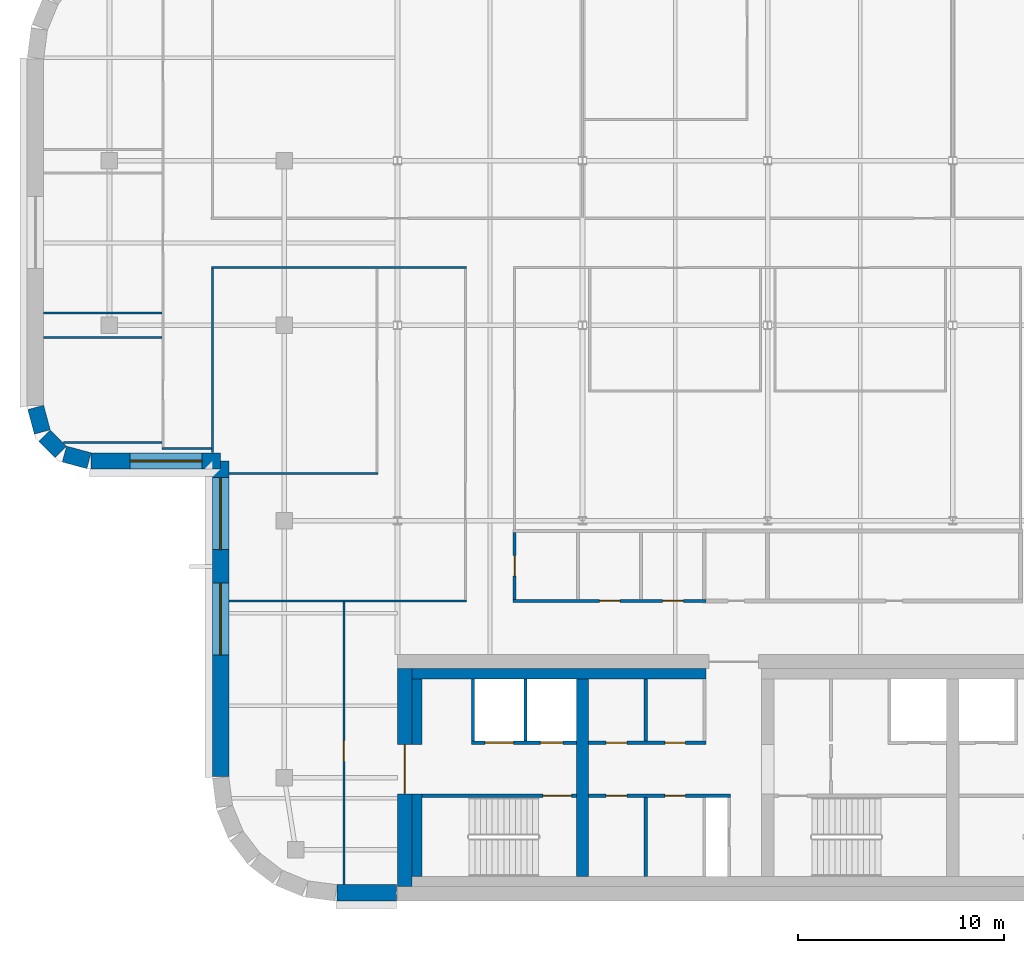
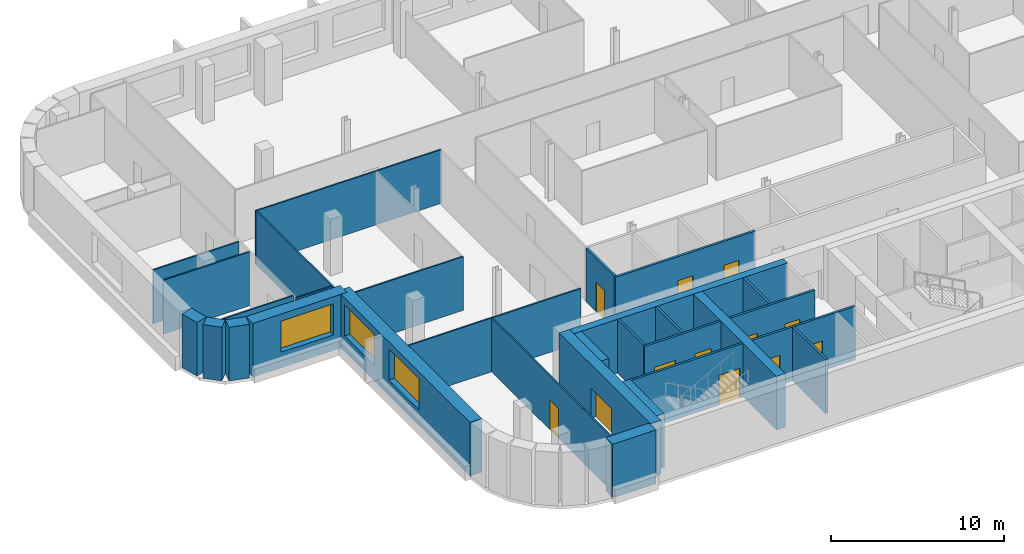
# One storey, part 7 of 17: 30 walls, 12 doors, 3 windows, 15 openings.
"""IFC4 building model written with IfcOpenShell, lengths in metres."""

from ifc_helpers import new_model, si_unit, direction, frame, frame_2d, origin, place, context, subcontext, project, spatial, rectangle, extrude, material, layer, layer_set, type_object, element, fill, save


model = new_model("IFC4")

# Units and contexts
model_context = context("Model", 3, precision=1e-05, world=origin(), true_north=direction((0.0, 1.0)))
body_context = subcontext(model_context, "Body", "Model", "MODEL_VIEW")
ifc_project = project(units=[si_unit("LENGTHUNIT", "METRE"), si_unit("AREAUNIT", "SQUARE_METRE"), si_unit("VOLUMEUNIT", "CUBIC_METRE"), si_unit("PLANEANGLEUNIT", "RADIAN"), si_unit("MASSUNIT", "GRAM", prefix="KILO")], contexts=[model_context])

# Site, building, storey
site_placement = place(None, origin())
site = spatial("IfcSite", under=ifc_project, at=site_placement, CompositionType="ELEMENT")
building_placement = place(site_placement, origin())
building = spatial("IfcBuilding", under=site, at=building_placement, Name="Zellij Exchange Tower", CompositionType="ELEMENT")
storey_placement = place(building_placement, frame((0.0, 0.0, 224.5)))
storey = spatial("IfcBuildingStorey", under=building, at=storey_placement, Name="L52", CompositionType="ELEMENT", Elevation=224.5)

# Walls
ifc_material_1 = material(Name="Concrete C50/60", Category="concrete")
ifc_layer_1 = layer(ifc_material_1, 0.60009765625)
ifc_layer_set_1 = layer_set([ifc_layer_1], Name="Concrete C50/60")
wall_type_1 = type_object("IfcWallType", Name="CORE-CW 600 C50/60", PredefinedType="SHEAR", material=ifc_layer_set_1)
wall_1_placement = place(storey_placement, frame((-18.0, -12.800048828125, 0.0), z_axis=(0.0, 0.0, 1.0), x_axis=(0.0, 1.0, 0.0)))
element("IfcWall", 1, at=wall_1_placement, inside=storey, type_object=wall_type_1, Name="Core cross wall x -18 L52", PredefinedType="SHEAR", context=body_context, shape_type="SweptSolid", body=[
    extrude(rectangle(XDim=9.60009765625, YDim=0.60009765625, at=frame_2d((4.800048828125, 0.0))), origin(), (0.0, 0.0, 1.0), 3.800048828125),
])
ifc_material_2 = material(Name="Concrete C30/37", Category="concrete")
ifc_layer_2 = layer(ifc_material_2, 0.5)
ifc_layer_set_2 = layer_set([ifc_layer_2], Name="Concrete C30/37")
wall_type_2 = type_object("IfcWallType", Name="CORE-LW 500 C30/37", PredefinedType="SHEAR", material=ifc_layer_set_2)
wall_2_placement = place(storey_placement, frame((-26.300048828125, -2.949951171875, 0.0), z_axis=(0.0, 0.0, 1.0), x_axis=(1.0, 0.0, 0.0)))
element("IfcWall", 2, at=wall_2_placement, inside=storey, type_object=wall_type_2, Name="Core wall lining front.0 L52", PredefinedType="SHEAR", context=body_context, shape_type="SweptSolid", body=[
    extrude(rectangle(XDim=14.300048828125, YDim=0.5, at=frame_2d((7.14990234375, 0.0))), origin(), (0.0, 0.0, 1.0), 3.800048828125),
])
wall_3_placement = place(storey_placement, frame((-26.050048828125, -12.800048828125, 0.0), z_axis=(0.0, 0.0, 1.0), x_axis=(0.0, 1.0, 0.0)))
element("IfcWall", 3, at=wall_3_placement, inside=storey, type_object=wall_type_2, Name="Core wall lining end w.0 L52", PredefinedType="SHEAR", context=body_context, shape_type="SweptSolid", body=[
    extrude(rectangle(XDim=4.0, YDim=0.5, at=frame_2d((2.0, 0.0))), origin(), (0.0, 0.0, 1.0), 3.800048828125),
])
wall_4_placement = place(storey_placement, frame((-26.050048828125, -6.375, 0.0), z_axis=(0.0, 0.0, 1.0), x_axis=(0.0, 1.0, 0.0)))
element("IfcWall", 4, at=wall_4_placement, inside=storey, type_object=wall_type_2, Name="Core wall lining end w.1 L52", PredefinedType="SHEAR", context=body_context, shape_type="SweptSolid", body=[
    extrude(rectangle(XDim=3.175048828125, YDim=0.5, at=frame_2d((1.58740234375, 0.0))), origin(), (0.0, 0.0, 1.0), 3.800048828125),
])
ifc_material_3 = material(Name="Gypsum board partition")
ifc_layer_3 = layer(ifc_material_3, 0.14990234375)
ifc_layer_set_3 = layer_set([ifc_layer_3], Name="Gypsum board partition")
wall_type_3 = type_object("IfcWallType", Name="CORE-PW 150 Lift lobby wall", PredefinedType="PARTITIONING", material=ifc_layer_set_3)
wall_5_placement = place(storey_placement, frame((-14.925048828125, -6.22509765625, 0.0), z_axis=(0.0, 0.0, 1.0), x_axis=(0.0, 1.0, 0.0)))
element("IfcWall", 5, at=wall_5_placement, inside=storey, type_object=wall_type_3, Name="Lift lobby wall L52", PredefinedType="PARTITIONING", context=body_context, shape_type="SweptSolid", body=[
    extrude(rectangle(XDim=3.025146484375, YDim=0.14990234375, at=frame_2d((1.5126953125, 0.0))), origin(), (0.0, 0.0, 1.0), 3.800048828125),
])
wall_6_placement = place(storey_placement, frame((-14.925048828125, -12.800048828125, 0.0), z_axis=(0.0, 0.0, 1.0), x_axis=(0.0, 1.0, 0.0)))
element("IfcWall", 6, at=wall_6_placement, inside=storey, type_object=wall_type_3, Name="Lift lobby wall L52", PredefinedType="PARTITIONING", context=body_context, shape_type="SweptSolid", body=[
    extrude(rectangle(XDim=3.85009765625, YDim=0.14990234375, at=frame_2d((1.925048828125, 0.0))), origin(), (0.0, 0.0, 1.0), 3.800048828125),
])

# Wall, openings, doors
wall_7_placement = place(storey_placement, frame((-17.699951171875, -6.300048828125, 0.0), z_axis=(0.0, 0.0, 1.0), x_axis=(1.0, 0.0, 0.0)))
wall_7 = element("IfcWall", 7, at=wall_7_placement, inside=storey, type_object=wall_type_3, Name="Lift lobby wall L52", PredefinedType="PARTITIONING", context=body_context, shape_type="SweptSolid", body=[
    extrude(rectangle(XDim=5.699951171875, YDim=0.14990234375, at=frame_2d((2.85009765625, 0.0))), origin(), (0.0, 0.0, 1.0), 3.800048828125),
])
opening_1_placement = place(wall_7_placement, frame((0.85009765625, 0.0, 0.0)))
opening_1 = element("IfcOpeningElement", 8, at=opening_1_placement, cuts=wall_7, Name="Opening CA-28.06", PredefinedType="OPENING", context=body_context, shape_type="SweptSolid", body=[
    extrude(rectangle(XDim=1.0, YDim=2.10009765625, at=frame_2d((0.5, 1.050048828125))), frame((0.0, 0.0869140625, 0.0), z_axis=(0.0, -1.0, 0.0), x_axis=(1.0, 0.0, 0.0)), (0.0, 0.0, 1.0), 0.173828125),
])
opening_2_placement = place(wall_7_placement, frame((3.699951171875, 0.0, 0.0)))
opening_2 = element("IfcOpeningElement", 9, at=opening_2_placement, cuts=wall_7, Name="Opening CA-28.08", PredefinedType="OPENING", context=body_context, shape_type="SweptSolid", body=[
    extrude(rectangle(XDim=1.0, YDim=2.10009765625, at=frame_2d((0.5, 1.050048828125))), frame((0.0, 0.0869140625, 0.0), z_axis=(0.0, -1.0, 0.0), x_axis=(1.0, 0.0, 0.0)), (0.0, 0.0, 1.0), 0.173828125),
])
ifc_material_4 = material(Name="Hollow metal fire door")
door_type_1 = type_object("IfcDoorType", Name="CORE-D CD Core room door 1000x2100 1 HR", OperationType="NOTDEFINED", PredefinedType="DOOR", material=ifc_material_4)
door_1_placement = place(opening_1_placement, origin())
door_1 = element("IfcDoor", 10, at=door_1_placement, inside=storey, type_object=door_type_1, Name="Core room door CA-28.06", OperationType="SINGLE_SWING_LEFT", OverallHeight=2.10009765625, OverallWidth=1.0, PredefinedType="DOOR", context=body_context, shape_type="SweptSolid", body=[
    extrude(rectangle(XDim=1.0, YDim=2.10009765625, at=frame_2d((0.5, 1.050048828125))), frame((0.0, 0.02490234375, 0.0), z_axis=(0.0, -1.0, 0.0), x_axis=(1.0, 0.0, 0.0)), (0.0, 0.0, 1.0), 0.050048828125),
])
fill(opening_1, door_1)
door_2_placement = place(opening_2_placement, origin())
door_2 = element("IfcDoor", 11, at=door_2_placement, inside=storey, type_object=door_type_1, Name="Core room door CA-28.08", OperationType="SINGLE_SWING_RIGHT", OverallHeight=2.10009765625, OverallWidth=1.0, PredefinedType="DOOR", context=body_context, shape_type="SweptSolid", body=[
    extrude(rectangle(XDim=1.0, YDim=2.10009765625, at=frame_2d((0.5, 1.050048828125))), frame((0.0, 0.02490234375, 0.0), z_axis=(0.0, -1.0, 0.0), x_axis=(1.0, 0.0, 0.0)), (0.0, 0.0, 1.0), 0.050048828125),
])
fill(opening_2, door_2)

wall_8_placement = place(storey_placement, frame((-17.699951171875, -8.875, 0.0), z_axis=(0.0, 0.0, 1.0), x_axis=(1.0, 0.0, 0.0)))
wall_8 = element("IfcWall", 12, at=wall_8_placement, inside=storey, type_object=wall_type_3, Name="Lift lobby wall L52", PredefinedType="PARTITIONING", context=body_context, shape_type="SweptSolid", body=[
    extrude(rectangle(XDim=6.89990234375, YDim=0.14990234375, at=frame_2d((3.449951171875, 0.0))), origin(), (0.0, 0.0, 1.0), 3.800048828125),
])
opening_3_placement = place(wall_8_placement, frame((0.85009765625, 0.0, 0.0)))
opening_3 = element("IfcOpeningElement", 13, at=opening_3_placement, cuts=wall_8, Name="Opening CA-28.05", PredefinedType="OPENING", context=body_context, shape_type="SweptSolid", body=[
    extrude(rectangle(XDim=1.0, YDim=2.10009765625, at=frame_2d((0.5, 1.050048828125))), frame((0.0, 0.0869140625, 0.0), z_axis=(0.0, -1.0, 0.0), x_axis=(1.0, 0.0, 0.0)), (0.0, 0.0, 1.0), 0.173828125),
])
opening_4_placement = place(wall_8_placement, frame((3.699951171875, 0.0, 0.0)))
opening_4 = element("IfcOpeningElement", 14, at=opening_4_placement, cuts=wall_8, Name="Opening CA-28.07", PredefinedType="OPENING", context=body_context, shape_type="SweptSolid", body=[
    extrude(rectangle(XDim=1.0, YDim=2.10009765625, at=frame_2d((0.5, 1.050048828125))), frame((0.0, 0.0869140625, 0.0), z_axis=(0.0, -1.0, 0.0), x_axis=(1.0, 0.0, 0.0)), (0.0, 0.0, 1.0), 0.173828125),
])
door_3_placement = place(opening_3_placement, origin())
door_3 = element("IfcDoor", 15, at=door_3_placement, inside=storey, type_object=door_type_1, Name="Core room door CA-28.05", OperationType="SINGLE_SWING_RIGHT", OverallHeight=2.10009765625, OverallWidth=1.0, PredefinedType="DOOR", context=body_context, shape_type="SweptSolid", body=[
    extrude(rectangle(XDim=1.0, YDim=2.10009765625, at=frame_2d((0.5, 1.050048828125))), frame((0.0, 0.02490234375, 0.0), z_axis=(0.0, -1.0, 0.0), x_axis=(1.0, 0.0, 0.0)), (0.0, 0.0, 1.0), 0.050048828125),
])
fill(opening_3, door_3)
door_4_placement = place(opening_4_placement, origin())
door_4 = element("IfcDoor", 16, at=door_4_placement, inside=storey, type_object=door_type_1, Name="Core room door CA-28.07", OperationType="SINGLE_SWING_LEFT", OverallHeight=2.10009765625, OverallWidth=1.0, PredefinedType="DOOR", context=body_context, shape_type="SweptSolid", body=[
    extrude(rectangle(XDim=1.0, YDim=2.10009765625, at=frame_2d((0.5, 1.050048828125))), frame((0.0, 0.02490234375, 0.0), z_axis=(0.0, -1.0, 0.0), x_axis=(1.0, 0.0, 0.0)), (0.0, 0.0, 1.0), 0.050048828125),
])
fill(opening_4, door_4)

# Walls
ifc_material_5 = material(Name="Gypsum shaft wall system")
ifc_layer_4 = layer(ifc_material_5, 0.14990234375)
ifc_layer_set_4 = layer_set([ifc_layer_4], Name="Gypsum shaft wall system")
wall_type_4 = type_object("IfcWallType", Name="CORE-PW 150 Lift shaft wall", PredefinedType="PARTITIONING", material=ifc_layer_set_4)
for number, where, z_axis, x_axis, name in (
    (17, (-20.77490234375, -6.22509765625, 0.0), (0.0, 0.0, 1.0), (0.0, 1.0, 0.0), "Lift shaft wall L52"),
    (18, (-23.324951171875, -6.22509765625, 0.0), (0.0, 0.0, 1.0), (0.0, 1.0, 0.0), "Lift shaft wall L52"),
):
    element("IfcWall", number, at=place(storey_placement, frame(where, z_axis=z_axis, x_axis=x_axis)), inside=storey, type_object=wall_type_4, Name=name, PredefinedType="PARTITIONING", context=body_context, shape_type="SweptSolid", body=[
        extrude(rectangle(XDim=3.025146484375, YDim=0.14990234375, at=frame_2d((1.5126953125, 0.0))), origin(), (0.0, 0.0, 1.0), 3.800048828125),
    ])

# Wall, openings, doors
wall_9_placement = place(storey_placement, frame((-23.39990234375, -6.300048828125, 0.0), z_axis=(0.0, 0.0, 1.0), x_axis=(1.0, 0.0, 0.0)))
wall_9 = element("IfcWall", 19, at=wall_9_placement, inside=storey, type_object=wall_type_4, Name="Lift shaft wall L52", PredefinedType="PARTITIONING", context=body_context, shape_type="SweptSolid", body=[
    extrude(rectangle(XDim=5.099853515625, YDim=0.14990234375, at=frame_2d((2.5498046875, 0.0))), origin(), (0.0, 0.0, 1.0), 3.800048828125),
])
opening_5_placement = place(wall_9_placement, frame((0.64990234375, 0.0, 0.0)))
opening_5 = element("IfcOpeningElement", 20, at=opening_5_placement, cuts=wall_9, Name="Opening CA-28.02", PredefinedType="OPENING", context=body_context, shape_type="SweptSolid", body=[
    extrude(rectangle(XDim=1.39990234375, YDim=2.10009765625, at=frame_2d((0.699951171875, 1.050048828125))), frame((0.0, 0.0869140625, 0.0), z_axis=(0.0, -1.0, 0.0), x_axis=(1.0, 0.0, 0.0)), (0.0, 0.0, 1.0), 0.173828125),
])
opening_6_placement = place(wall_9_placement, frame((3.35009765625, 0.0, 0.0)))
opening_6 = element("IfcOpeningElement", 21, at=opening_6_placement, cuts=wall_9, Name="Opening CA-28.03", PredefinedType="OPENING", context=body_context, shape_type="SweptSolid", body=[
    extrude(rectangle(XDim=1.10009765625, YDim=2.10009765625, at=frame_2d((0.550048828125, 1.050048828125))), frame((0.0, 0.0869140625, 0.0), z_axis=(0.0, -1.0, 0.0), x_axis=(1.0, 0.0, 0.0)), (0.0, 0.0, 1.0), 0.173828125),
])
door_type_2 = type_object("IfcDoorType", Name="CORE-D LD Lift landing door 1100x2100 1.5 HR", OperationType="NOTDEFINED", PredefinedType="DOOR", material=ifc_material_4)
door_5_placement = place(opening_6_placement, origin())
door_5 = element("IfcDoor", 22, at=door_5_placement, inside=storey, type_object=door_type_2, Name="Lift landing door CA-28.03", OperationType="SLIDING_TO_LEFT", OverallHeight=2.10009765625, OverallWidth=1.10009765625, PredefinedType="DOOR", context=body_context, shape_type="SweptSolid", body=[
    extrude(rectangle(XDim=1.10009765625, YDim=2.10009765625, at=frame_2d((0.550048828125, 1.050048828125))), frame((0.0, 0.02490234375, 0.0), z_axis=(0.0, -1.0, 0.0), x_axis=(1.0, 0.0, 0.0)), (0.0, 0.0, 1.0), 0.050048828125),
])
fill(opening_6, door_5)
door_type_3 = type_object("IfcDoorType", Name="CORE-D LD2 Service lift landing door 1400x2100 1.5 HR", OperationType="NOTDEFINED", PredefinedType="DOOR", material=ifc_material_4)
door_6_placement = place(opening_5_placement, origin())
door_6 = element("IfcDoor", 23, at=door_6_placement, inside=storey, type_object=door_type_3, Name="Service lift landing door CA-28.02", OperationType="SLIDING_TO_RIGHT", OverallHeight=2.10009765625, OverallWidth=1.39990234375, PredefinedType="DOOR", context=body_context, shape_type="SweptSolid", body=[
    extrude(rectangle(XDim=1.39990234375, YDim=2.10009765625, at=frame_2d((0.699951171875, 1.050048828125))), frame((0.0, 0.02490234375, 0.0), z_axis=(0.0, -1.0, 0.0), x_axis=(1.0, 0.0, 0.0)), (0.0, 0.0, 1.0), 0.050048828125),
])
fill(opening_5, door_6)

# Wall, opening, door
ifc_layer_5 = layer(ifc_material_1, 0.699951171875)
ifc_layer_set_5 = layer_set([ifc_layer_5], Name="Concrete C50/60")
wall_type_5 = type_object("IfcWallType", Name="CORE-SW 700 C50/60", PredefinedType="SHEAR", material=ifc_layer_set_5)
wall_10_placement = place(storey_placement, frame((-26.64990234375, -13.300048828125, 0.0), z_axis=(0.0, 0.0, 1.0), x_axis=(0.0, 1.0, 0.0)))
wall_10 = element("IfcWall", 24, at=wall_10_placement, inside=storey, type_object=wall_type_5, Name="Core shear wall end w L52", PredefinedType="SHEAR", context=body_context, shape_type="SweptSolid", body=[
    extrude(rectangle(XDim=10.60009765625, YDim=0.699951171875, at=frame_2d((5.300048828125, 0.0))), origin(), (0.0, 0.0, 1.0), 3.800048828125),
])
opening_7_placement = place(wall_10_placement, frame((4.511962890625, 0.0, 0.0)))
opening_7 = element("IfcOpeningElement", 25, at=opening_7_placement, cuts=wall_10, Name="Opening CA-28.01", PredefinedType="OPENING", context=body_context, shape_type="SweptSolid", body=[
    extrude(rectangle(XDim=2.39990234375, YDim=2.10009765625, at=frame_2d((1.199951171875, 1.050048828125))), frame((0.0, 0.36181640625, 0.0), z_axis=(0.0, -1.0, 0.0), x_axis=(1.0, 0.0, 0.0)), (0.0, 0.0, 1.0), 0.723876953125),
])
door_type_4 = type_object("IfcDoorType", Name="CORE-D CE Core entrance door 2400x2100 20 MIN", OperationType="NOTDEFINED", PredefinedType="DOOR", material=ifc_material_4)
door_7_placement = place(opening_7_placement, origin())
door_7 = element("IfcDoor", 26, at=door_7_placement, inside=storey, type_object=door_type_4, Name="Core entrance door CA-28.01", OperationType="DOUBLE_DOOR_SINGLE_SWING", OverallHeight=2.10009765625, OverallWidth=2.39990234375, PredefinedType="DOOR", context=body_context, shape_type="SweptSolid", body=[
    extrude(rectangle(XDim=2.39990234375, YDim=2.10009765625, at=frame_2d((1.199951171875, 1.050048828125))), frame((0.0, 0.02490234375, 0.0), z_axis=(0.0, -1.0, 0.0), x_axis=(1.0, 0.0, 0.0)), (0.0, 0.0, 1.0), 0.050048828125),
])
fill(opening_7, door_7)

ifc_layer_6 = layer(ifc_material_1, 0.14990234375)
ifc_layer_set_6 = layer_set([ifc_layer_6], Name="Concrete C50/60")
wall_type_6 = type_object("IfcWallType", Name="CORE-SWS 150 C50/60", PredefinedType="SHEAR", material=ifc_layer_set_6)
wall_11_placement = place(storey_placement, frame((-25.800048828125, -8.875, 0.0), z_axis=(0.0, 0.0, 1.0), x_axis=(1.0, 0.0, 0.0)))
wall_11 = element("IfcWall", 27, at=wall_11_placement, inside=storey, type_object=wall_type_6, Name="Stair enclosure wall L52", PredefinedType="SHEAR", context=body_context, shape_type="SweptSolid", body=[
    extrude(rectangle(XDim=7.5, YDim=0.14990234375, at=frame_2d((3.75, 0.0))), origin(), (0.0, 0.0, 1.0), 3.800048828125),
])
opening_8_placement = place(wall_11_placement, frame((5.875, 0.0, 0.0)))
opening_8 = element("IfcOpeningElement", 28, at=opening_8_placement, cuts=wall_11, Name="Opening CA-28.04", PredefinedType="OPENING", context=body_context, shape_type="SweptSolid", body=[
    extrude(rectangle(XDim=1.39990234375, YDim=2.10009765625, at=frame_2d((0.699951171875, 1.050048828125))), frame((0.0, 0.0869140625, 0.0), z_axis=(0.0, -1.0, 0.0), x_axis=(1.0, 0.0, 0.0)), (0.0, 0.0, 1.0), 0.173828125),
])
door_type_5 = type_object("IfcDoorType", Name="CORE-D SD Stair door 1400x2100 1.5 HR", OperationType="NOTDEFINED", PredefinedType="DOOR", material=ifc_material_4)
door_8_placement = place(opening_8_placement, origin())
door_8 = element("IfcDoor", 29, at=door_8_placement, inside=storey, type_object=door_type_5, Name="Stair door CA-28.04", OperationType="DOUBLE_DOOR_SINGLE_SWING", OverallHeight=2.10009765625, OverallWidth=1.39990234375, PredefinedType="DOOR", context=body_context, shape_type="SweptSolid", body=[
    extrude(rectangle(XDim=1.39990234375, YDim=2.10009765625, at=frame_2d((0.699951171875, 1.050048828125))), frame((0.0, 0.02490234375, 0.0), z_axis=(0.0, -1.0, 0.0), x_axis=(1.0, 0.0, 0.0)), (0.0, 0.0, 1.0), 0.050048828125),
])
fill(opening_8, door_8)

# Walls
ifc_material_6 = material(Name="Precast concrete C40/50", Category="concrete")
ifc_layer_7 = layer(ifc_material_6, 0.800048828125)
ifc_layer_set_7 = layer_set([ifc_layer_7], Name="Precast concrete C40/50")
wall_type_7 = type_object("IfcWallType", Name="ENV-EW1 Precast stone-piered wall 800", PredefinedType="SOLIDWALL", material=ifc_layer_set_7)
wall_12_placement = place(storey_placement, frame((-29.947509765625, -13.60009765625, 0.0), z_axis=(0.0, 0.0, 1.0), x_axis=(1.0, 0.0, 0.0)))
element("IfcWall", 30, at=wall_12_placement, inside=storey, type_object=wall_type_7, Name="fac.L52.00a", PredefinedType="SOLIDWALL", context=body_context, shape_type="SweptSolid", body=[
    extrude(rectangle(XDim=2.8974609375, YDim=0.800048828125, at=frame_2d((1.44873046875, 0.0))), origin(), (0.0, 0.0, 1.0), 3.800048828125),
])
wall_13_placement = place(storey_placement, frame((-44.58642578125, 10.001708984375, 0.0), z_axis=(0.0, 0.0, 1.0), x_axis=(0.258943885187, -0.965892366842, 0.0)))
element("IfcWall", 31, at=wall_13_placement, inside=storey, type_object=wall_type_7, Name="fac.L52.22", PredefinedType="SOLIDWALL", context=body_context, shape_type="SweptSolid", body=[
    extrude(rectangle(XDim=1.233154296875, YDim=0.800048828125, at=frame_2d((0.61669921875, 0.0))), origin(), (0.0, 0.0, 1.0), 3.800048828125),
])
wall_14_placement = place(storey_placement, frame((-44.163818359375, 8.63134765625, 0.0), z_axis=(0.0, 0.0, 1.0), x_axis=(0.707106781187, -0.707106781187, 0.0)))
element("IfcWall", 32, at=wall_14_placement, inside=storey, type_object=wall_type_7, Name="fac.L52.23", PredefinedType="SOLIDWALL", context=body_context, shape_type="SweptSolid", body=[
    extrude(rectangle(XDim=1.12451171875, YDim=0.800048828125, at=frame_2d((0.562255859375, 0.0))), origin(), (0.0, 0.0, 1.0), 3.800048828125),
])
wall_15_placement = place(storey_placement, frame((-43.189453125, 7.73291015625, 0.0), z_axis=(0.0, 0.0, 1.0), x_axis=(0.965892366842, -0.258943885187, 0.0)))
element("IfcWall", 33, at=wall_15_placement, inside=storey, type_object=wall_type_7, Name="fac.L52.24", PredefinedType="SOLIDWALL", context=body_context, shape_type="SweptSolid", body=[
    extrude(rectangle(XDim=1.233154296875, YDim=0.800048828125, at=frame_2d((0.61669921875, 0.0))), origin(), (0.0, 0.0, 1.0), 3.800048828125),
])

# Wall, opening, window
wall_16_placement = place(storey_placement, frame((-41.89453125, 7.39990234375, 0.0), z_axis=(0.0, 0.0, 1.0), x_axis=(1.0, 0.0, 0.0)))
wall_16 = element("IfcWall", 34, at=wall_16_placement, inside=storey, type_object=wall_type_7, Name="fac.L52.25", PredefinedType="SOLIDWALL", context=body_context, shape_type="SweptSolid", body=[
    extrude(rectangle(XDim=6.29443359375, YDim=0.800048828125, at=frame_2d((3.147216796875, 0.0))), origin(), (0.0, 0.0, 1.0), 3.800048828125),
])
opening_9_placement = place(wall_16_placement, frame((1.89453125, 0.0, 1.10009765625)))
opening_9 = element("IfcOpeningElement", 35, at=opening_9_placement, cuts=wall_16, Name="Opening FZ4.21", PredefinedType="OPENING", context=body_context, shape_type="SweptSolid", body=[
    extrude(rectangle(XDim=3.5, YDim=2.199951171875, at=frame_2d((1.75, 1.10009765625))), frame((0.0, 0.412109375, 0.0), z_axis=(0.0, -1.0, 0.0), x_axis=(1.0, 0.0, 0.0)), (0.0, 0.0, 1.0), 0.823974609375),
])
ifc_material_7 = material(Name="Aluminium frame with insulating glass", Category="aluminium")
window_type = type_object("IfcWindowType", Name="ENV-W7 Window 3500x2200", PartitioningType="SINGLE_PANEL", PredefinedType="WINDOW", material=ifc_material_7)
window_1_placement = place(opening_9_placement, origin())
window_1 = element("IfcWindow", 36, at=window_1_placement, inside=storey, type_object=window_type, Name="Window FZ4.21", OverallHeight=2.199951171875, OverallWidth=3.5, PartitioningType="SINGLE_PANEL", PredefinedType="WINDOW", context=body_context, shape_type="SweptSolid", body=[
    extrude(rectangle(XDim=3.5, YDim=2.199951171875, at=frame_2d((1.75, 1.10009765625))), frame((0.0, 0.030029296875, 0.0), z_axis=(0.0, -1.0, 0.0), x_axis=(1.0, 0.0, 0.0)), (0.0, 0.0, 1.0), 0.06005859375),
])
fill(opening_9, window_1)

# Wall, openings, windows
wall_17_placement = place(storey_placement, frame((-35.60009765625, 7.39990234375, 0.0), z_axis=(0.0, 0.0, 1.0), x_axis=(0.0, -1.0, 0.0)))
wall_17 = element("IfcWall", 37, at=wall_17_placement, inside=storey, type_object=wall_type_7, Name="fac.L52.26", PredefinedType="SOLIDWALL", context=body_context, shape_type="SweptSolid", body=[
    extrude(rectangle(XDim=15.347412109375, YDim=0.800048828125, at=frame_2d((7.673828125, 0.0))), origin(), (0.0, 0.0, 1.0), 3.800048828125),
])
opening_10_placement = place(wall_17_placement, frame((0.812255859375, 0.0, 1.10009765625)))
opening_10 = element("IfcOpeningElement", 38, at=opening_10_placement, cuts=wall_17, Name="Opening FZ4.22", PredefinedType="OPENING", context=body_context, shape_type="SweptSolid", body=[
    extrude(rectangle(XDim=3.5, YDim=2.199951171875, at=frame_2d((1.75, 1.10009765625))), frame((0.0, 0.412109375, 0.0), z_axis=(0.0, -1.0, 0.0), x_axis=(1.0, 0.0, 0.0)), (0.0, 0.0, 1.0), 0.823974609375),
])
opening_11_placement = place(wall_17_placement, frame((5.93701171875, 0.0, 1.10009765625)))
opening_11 = element("IfcOpeningElement", 39, at=opening_11_placement, cuts=wall_17, Name="Opening FZ4.23", PredefinedType="OPENING", context=body_context, shape_type="SweptSolid", body=[
    extrude(rectangle(XDim=3.5, YDim=2.199951171875, at=frame_2d((1.75, 1.10009765625))), frame((0.0, 0.412109375, 0.0), z_axis=(0.0, -1.0, 0.0), x_axis=(1.0, 0.0, 0.0)), (0.0, 0.0, 1.0), 0.823974609375),
])
window_2_placement = place(opening_10_placement, origin())
window_2 = element("IfcWindow", 40, at=window_2_placement, inside=storey, type_object=window_type, Name="Window FZ4.22", OverallHeight=2.199951171875, OverallWidth=3.5, PartitioningType="SINGLE_PANEL", PredefinedType="WINDOW", context=body_context, shape_type="SweptSolid", body=[
    extrude(rectangle(XDim=3.5, YDim=2.199951171875, at=frame_2d((1.75, 1.10009765625))), frame((0.0, 0.030029296875, 0.0), z_axis=(0.0, -1.0, 0.0), x_axis=(1.0, 0.0, 0.0)), (0.0, 0.0, 1.0), 0.06005859375),
])
fill(opening_10, window_2)
window_3_placement = place(opening_11_placement, origin())
window_3 = element("IfcWindow", 41, at=window_3_placement, inside=storey, type_object=window_type, Name="Window FZ4.23", OverallHeight=2.199951171875, OverallWidth=3.5, PartitioningType="SINGLE_PANEL", PredefinedType="WINDOW", context=body_context, shape_type="SweptSolid", body=[
    extrude(rectangle(XDim=3.5, YDim=2.199951171875, at=frame_2d((1.75, 1.10009765625))), frame((0.0, 0.030029296875, 0.0), z_axis=(0.0, -1.0, 0.0), x_axis=(1.0, 0.0, 0.0)), (0.0, 0.0, 1.0), 0.06005859375),
])
fill(opening_11, window_3)

# Wall, opening, door
ifc_material_8 = material(Name="Gypsum board partition on steel studs", Category="steel")
ifc_layer_8 = layer(ifc_material_8, 0.10009765625)
ifc_layer_set_8 = layer_set([ifc_layer_8], Name="Gypsum board partition on steel studs")
wall_type_8 = type_object("IfcWallType", Name="FIT-PARTITION-100", PredefinedType="PARTITIONING", material=ifc_layer_set_8)
wall_18_placement = place(storey_placement, frame((-29.60009765625, -13.199951171875, 0.0), z_axis=(0.0, 0.0, 1.0), x_axis=(0.0, 1.0, 0.0)))
wall_18 = element("IfcWall", 42, at=wall_18_placement, inside=storey, type_object=wall_type_8, Name="FIT-PARTITION-100 001", PredefinedType="PARTITIONING", context=body_context, shape_type="SweptSolid", body=[
    extrude(rectangle(XDim=13.75, YDim=0.10009765625, at=frame_2d((6.875, 0.0))), origin(), (0.0, 0.0, 1.0), 3.800048828125),
])
opening_12_placement = place(wall_18_placement, frame((6.0, 0.0, 0.0)))
opening_12 = element("IfcOpeningElement", 43, at=opening_12_placement, cuts=wall_18, Name="Opening O4A.01", PredefinedType="OPENING", context=body_context, shape_type="SweptSolid", body=[
    extrude(rectangle(XDim=1.0, YDim=2.10009765625, at=frame_2d((0.5, 1.050048828125))), frame((0.0, 0.06201171875, 0.0), z_axis=(0.0, -1.0, 0.0), x_axis=(1.0, 0.0, 0.0)), (0.0, 0.0, 1.0), 0.1240234375),
])
ifc_material_9 = material(Name="Timber door set", Category="wood")
door_type_6 = type_object("IfcDoorType", Name="FIT-D2-WIDE-1000X2100", OperationType="SINGLE_SWING_LEFT", PredefinedType="DOOR", material=ifc_material_9)
door_9_placement = place(opening_12_placement, origin())
door_9 = element("IfcDoor", 44, at=door_9_placement, inside=storey, type_object=door_type_6, Name="Door O4A.01", OperationType="SINGLE_SWING_RIGHT", OverallHeight=2.10009765625, OverallWidth=1.0, PredefinedType="DOOR", context=body_context, shape_type="SweptSolid", body=[
    extrude(rectangle(XDim=1.0, YDim=2.10009765625, at=frame_2d((0.5, 1.050048828125))), frame((0.0, 0.02490234375, 0.0), z_axis=(0.0, -1.0, 0.0), x_axis=(1.0, 0.0, 0.0)), (0.0, 0.0, 1.0), 0.050048828125),
])
fill(opening_12, door_9)

# Walls
wall_19_placement = place(storey_placement, frame((-35.199951171875, 0.60009765625, 0.0), z_axis=(0.0, 0.0, 1.0), x_axis=(1.0, 0.0, 0.0)))
element("IfcWall", 45, at=wall_19_placement, inside=storey, type_object=wall_type_8, Name="FIT-PARTITION-100 004", PredefinedType="PARTITIONING", context=body_context, shape_type="SweptSolid", body=[
    extrude(rectangle(XDim=11.550048828125, YDim=0.10009765625, at=frame_2d((5.77490234375, 0.0))), origin(), (0.0, 0.0, 1.0), 3.800048828125),
])
wall_20_placement = place(storey_placement, frame((-35.199951171875, 6.800048828125, 0.0), z_axis=(0.0, 0.0, 1.0), x_axis=(1.0, 0.0, 0.0)))
element("IfcWall", 46, at=wall_20_placement, inside=storey, type_object=wall_type_8, Name="FIT-PARTITION-100 030", PredefinedType="PARTITIONING", context=body_context, shape_type="SweptSolid", body=[
    extrude(rectangle(XDim=7.25, YDim=0.10009765625, at=frame_2d((3.625, 0.0))), origin(), (0.0, 0.0, 1.0), 3.800048828125),
])
wall_21_placement = place(storey_placement, frame((-36.0, 7.800048828125, 0.0), z_axis=(0.0, 0.0, 1.0), x_axis=(0.0, 1.0, 0.0)))
element("IfcWall", 47, at=wall_21_placement, inside=storey, type_object=wall_type_8, Name="FIT-PARTITION-100 033", PredefinedType="PARTITIONING", context=body_context, shape_type="SweptSolid", body=[
    extrude(rectangle(XDim=8.949951171875, YDim=0.10009765625, at=frame_2d((4.47509765625, 0.0))), origin(), (0.0, 0.0, 1.0), 3.800048828125),
])
wall_22_placement = place(storey_placement, frame((-38.449951171875, 8.0, 0.0), z_axis=(0.0, 0.0, 1.0), x_axis=(1.0, 0.0, 0.0)))
element("IfcWall", 48, at=wall_22_placement, inside=storey, type_object=wall_type_8, Name="FIT-PARTITION-100 034", PredefinedType="PARTITIONING", context=body_context, shape_type="SweptSolid", body=[
    extrude(rectangle(XDim=2.39990234375, YDim=0.10009765625, at=frame_2d((1.199951171875, 0.0))), origin(), (0.0, 0.0, 1.0), 3.800048828125),
])
wall_23_placement = place(storey_placement, frame((-43.22998046875, 8.300048828125, 0.0), z_axis=(0.0, 0.0, 1.0), x_axis=(1.0, 0.0, 0.0)))
element("IfcWall", 49, at=wall_23_placement, inside=storey, type_object=wall_type_8, Name="FIT-PARTITION-100 036", PredefinedType="PARTITIONING", context=body_context, shape_type="SweptSolid", body=[
    extrude(rectangle(XDim=4.780029296875, YDim=0.10009765625, at=frame_2d((2.39013671875, 0.0))), origin(), (0.0, 0.0, 1.0), 3.800048828125),
])
for number, where, z_axis, x_axis, name in (
    (50, (-44.199951171875, 13.39990234375, 0.0), (0.0, 0.0, 1.0), (1.0, 0.0, 0.0), "FIT-PARTITION-100 050"),
    (51, (-44.199951171875, 14.60009765625, 0.0), (0.0, 0.0, 1.0), (1.0, 0.0, 0.0), "FIT-PARTITION-100 051"),
):
    element("IfcWall", number, at=place(storey_placement, frame(where, z_axis=z_axis, x_axis=x_axis)), inside=storey, type_object=wall_type_8, Name=name, PredefinedType="PARTITIONING", context=body_context, shape_type="SweptSolid", body=[
        extrude(rectangle(XDim=5.75, YDim=0.10009765625, at=frame_2d((2.875, 0.0))), origin(), (0.0, 0.0, 1.0), 3.800048828125),
    ])
wall_24_placement = place(storey_placement, frame((-36.050048828125, 16.800048828125, 0.0), z_axis=(0.0, 0.0, 1.0), x_axis=(1.0, 0.0, 0.0)))
element("IfcWall", 52, at=wall_24_placement, inside=storey, type_object=wall_type_8, Name="FIT-PARTITION-100 052", PredefinedType="PARTITIONING", context=body_context, shape_type="SweptSolid", body=[
    extrude(rectangle(XDim=12.400146484375, YDim=0.10009765625, at=frame_2d((6.2001953125, 0.0))), origin(), (0.0, 0.0, 1.0), 3.800048828125),
])

# Wall, openings, doors
ifc_material_10 = material(Name="Gypsum board shaft-wall partition", Category="gypsum")
ifc_layer_9 = layer(ifc_material_10, 0.14990234375)
ifc_layer_set_9 = layer_set([ifc_layer_9], Name="Gypsum board shaft-wall partition")
wall_type_9 = type_object("IfcWallType", Name="FIT-PARTITION-150-EI60", PredefinedType="PARTITIONING", material=ifc_layer_set_9)
wall_25_placement = place(storey_placement, frame((-21.375, 0.60009765625, 0.0), z_axis=(0.0, 0.0, 1.0), x_axis=(1.0, 0.0, 0.0)))
wall_25 = element("IfcWall", 53, at=wall_25_placement, inside=storey, type_object=wall_type_9, Name="FIT-PARTITION-150-EI60 006", PredefinedType="PARTITIONING", context=body_context, shape_type="SweptSolid", body=[
    extrude(rectangle(XDim=9.3701171875, YDim=0.14990234375, at=frame_2d((4.68505859375, 0.0))), origin(), (0.0, 0.0, 1.0), 3.800048828125),
])
opening_13_placement = place(wall_25_placement, frame((4.199951171875, 0.0, 0.0)))
opening_13 = element("IfcOpeningElement", 54, at=opening_13_placement, cuts=wall_25, Name="Opening O4A.03", PredefinedType="OPENING", context=body_context, shape_type="SweptSolid", body=[
    extrude(rectangle(XDim=1.0, YDim=2.10009765625, at=frame_2d((0.5, 1.050048828125))), frame((0.0, 0.0869140625, 0.0), z_axis=(0.0, -1.0, 0.0), x_axis=(1.0, 0.0, 0.0)), (0.0, 0.0, 1.0), 0.173828125),
])
opening_14_placement = place(wall_25_placement, frame((7.27490234375, 0.0, 0.0)))
opening_14 = element("IfcOpeningElement", 55, at=opening_14_placement, cuts=wall_25, Name="Opening O4A.04", PredefinedType="OPENING", context=body_context, shape_type="SweptSolid", body=[
    extrude(rectangle(XDim=1.0, YDim=2.10009765625, at=frame_2d((0.5, 1.050048828125))), frame((0.0, 0.0869140625, 0.0), z_axis=(0.0, -1.0, 0.0), x_axis=(1.0, 0.0, 0.0)), (0.0, 0.0, 1.0), 0.173828125),
])
ifc_material_11 = material(Name="Steel fire door set", Category="steel")
door_type_7 = type_object("IfcDoorType", Name="FIT-D4-FIRE-1000X2100", OperationType="SINGLE_SWING_LEFT", PredefinedType="DOOR", material=ifc_material_11)
door_10_placement = place(opening_13_placement, origin())
door_10 = element("IfcDoor", 56, at=door_10_placement, inside=storey, type_object=door_type_7, Name="Door O4A.03", OperationType="SINGLE_SWING_RIGHT", OverallHeight=2.10009765625, OverallWidth=1.0, PredefinedType="DOOR", context=body_context, shape_type="SweptSolid", body=[
    extrude(rectangle(XDim=1.0, YDim=2.10009765625, at=frame_2d((0.5, 1.050048828125))), frame((0.0, 0.02490234375, 0.0), z_axis=(0.0, -1.0, 0.0), x_axis=(1.0, 0.0, 0.0)), (0.0, 0.0, 1.0), 0.050048828125),
])
fill(opening_13, door_10)
door_11_placement = place(opening_14_placement, origin())
door_11 = element("IfcDoor", 57, at=door_11_placement, inside=storey, type_object=door_type_7, Name="Door O4A.04", OperationType="SINGLE_SWING_RIGHT", OverallHeight=2.10009765625, OverallWidth=1.0, PredefinedType="DOOR", context=body_context, shape_type="SweptSolid", body=[
    extrude(rectangle(XDim=1.0, YDim=2.10009765625, at=frame_2d((0.5, 1.050048828125))), frame((0.0, 0.02490234375, 0.0), z_axis=(0.0, -1.0, 0.0), x_axis=(1.0, 0.0, 0.0)), (0.0, 0.0, 1.0), 0.050048828125),
])
fill(opening_14, door_11)

# Wall, opening, door
wall_26_placement = place(storey_placement, frame((-21.300048828125, 0.675048828125, 0.0), z_axis=(0.0, 0.0, 1.0), x_axis=(0.0, 1.0, 0.0)))
wall_26 = element("IfcWall", 58, at=wall_26_placement, inside=storey, type_object=wall_type_9, Name="FIT-PARTITION-150-EI60 007", PredefinedType="PARTITIONING", context=body_context, shape_type="SweptSolid", body=[
    extrude(rectangle(XDim=3.25, YDim=0.14990234375, at=frame_2d((1.625, 0.0))), origin(), (0.0, 0.0, 1.0), 3.800048828125),
])
opening_15_placement = place(wall_26_placement, frame((1.125, 0.0, 0.0)))
opening_15 = element("IfcOpeningElement", 59, at=opening_15_placement, cuts=wall_26, Name="Opening O4A.08", PredefinedType="OPENING", context=body_context, shape_type="SweptSolid", body=[
    extrude(rectangle(XDim=1.0, YDim=2.10009765625, at=frame_2d((0.5, 1.050048828125))), frame((0.0, 0.0869140625, 0.0), z_axis=(0.0, -1.0, 0.0), x_axis=(1.0, 0.0, 0.0)), (0.0, 0.0, 1.0), 0.173828125),
])
door_12_placement = place(opening_15_placement, origin())
door_12 = element("IfcDoor", 60, at=door_12_placement, inside=storey, type_object=door_type_7, Name="Door O4A.08", OperationType="SINGLE_SWING_RIGHT", OverallHeight=2.10009765625, OverallWidth=1.0, PredefinedType="DOOR", context=body_context, shape_type="SweptSolid", body=[
    extrude(rectangle(XDim=1.0, YDim=2.10009765625, at=frame_2d((0.5, 1.050048828125))), frame((0.0, 0.02490234375, 0.0), z_axis=(0.0, -1.0, 0.0), x_axis=(1.0, 0.0, 0.0)), (0.0, 0.0, 1.0), 0.050048828125),
])
fill(opening_15, door_12)

save(model, "model.ifc")
